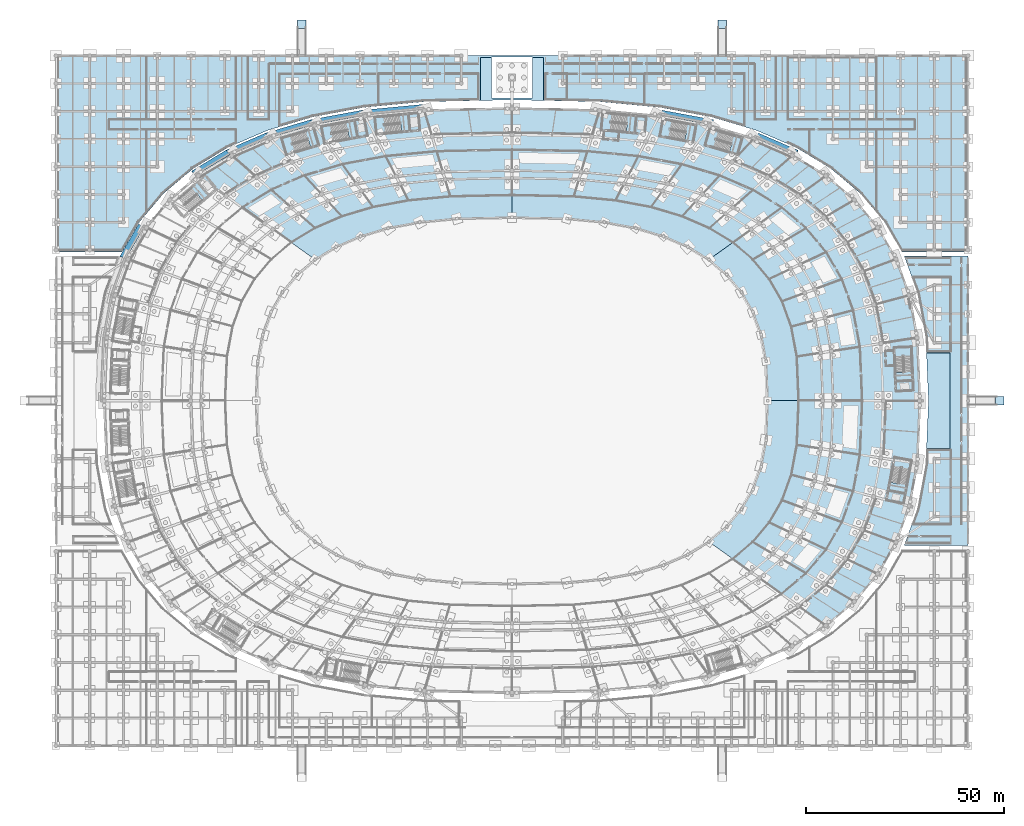
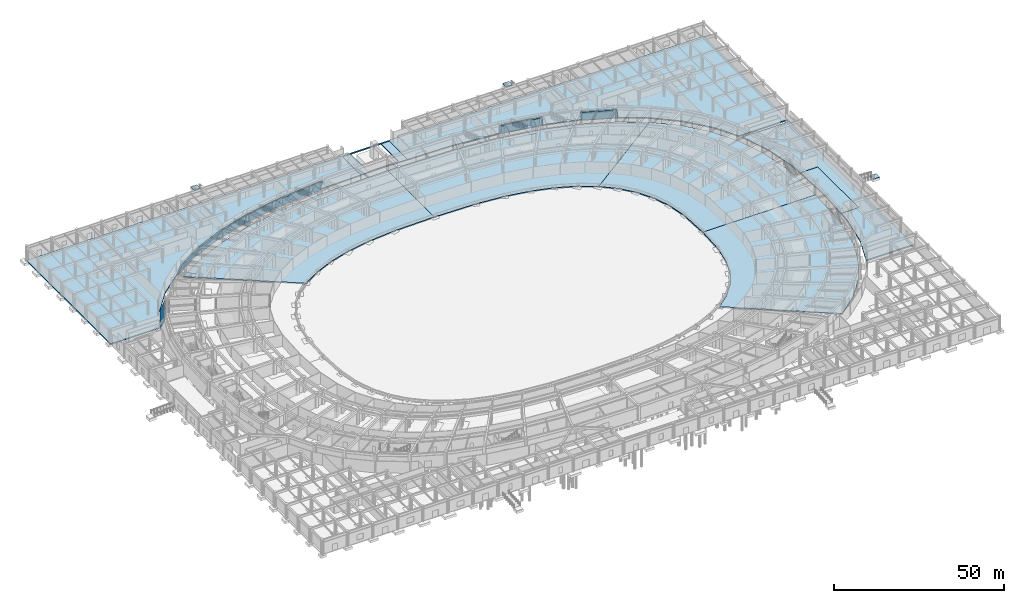
# One storey, part 39 of 88: 28 slabs, 12 elements without a shape of their own.
"""IFC4 building model written with IfcOpenShell, lengths in metres."""

from ifc_helpers import new_model, si_unit, direction, frame, origin, place, context, subcontext, project, spatial, polyline, outline, extrude, material, layer, layer_set, type_object, element, aggregate, save


model = new_model("IFC4")

# Units and contexts
model_context = context("Model", 3, precision=1e-05, world=origin(), true_north=direction((0.0, 1.0)))
body_context = subcontext(model_context, "Body", "Model", "MODEL_VIEW")
ifc_project = project(units=[si_unit("LENGTHUNIT", "METRE"), si_unit("AREAUNIT", "SQUARE_METRE"), si_unit("VOLUMEUNIT", "CUBIC_METRE"), si_unit("PLANEANGLEUNIT", "RADIAN"), si_unit("MASSUNIT", "GRAM", prefix="KILO")], contexts=[model_context])

# Site, building, storey
site_placement = place(None, origin())
site = spatial("IfcSite", under=ifc_project, at=site_placement, CompositionType="ELEMENT")
building_placement = place(site_placement, origin())
building = spatial("IfcBuilding", under=site, at=building_placement, Name="Mphavela Belvedere Stadium", CompositionType="ELEMENT")
storey_placement = place(building_placement, origin())
storey = spatial("IfcBuildingStorey", under=building, at=storey_placement, Name="L00", CompositionType="ELEMENT", Elevation=0.0)

# Slabs
ifc_material_1 = material(Name="Concrete C35/45", Category="concrete")
ifc_layer_1 = layer(ifc_material_1, 0.419921875)
ifc_layer_set_1 = layer_set([ifc_layer_1], Name="Concrete C35/45")
slab_type_1 = type_object("IfcSlabType", Name="SLB-BASE-420", PredefinedType="BASESLAB", material=ifc_layer_set_1)
slab_1_placement = place(storey_placement, frame((0.0, 0.0, -0.419921875)))
element("IfcSlab", 1, at=slab_1_placement, inside=storey, type_object=slab_type_1, Name="North Mast and Ceremonial End Forecourt floor slab L00-1", PredefinedType="BASESLAB", context=body_context, shape_type="SweptSolid", body=[
    extrude(outline(polyline([(230.0, 174.0), (230.0, 124.5), (213.346435546875, 124.5), (209.147216796875, 131.7626953125), (209.042236328125, 131.9267578125), (208.92333984375, 132.080810546875), (203.019287109375, 139.072998046875), (202.893798828125, 139.20947265625), (202.757080078125, 139.3349609375), (195.574462890625, 145.39599609375), (195.4404296875, 145.500244140625), (195.299072265625, 145.593994140625), (186.839599609375, 150.740478515625), (186.5712890625, 150.87939453125), (176.8125, 155.10986328125), (176.563720703125, 155.2001953125), (165.42724609375, 158.505859375), (165.2041015625, 158.559814453125), (152.4755859375, 160.93017578125), (152.281494140625, 160.95751953125), (137.323486328125, 162.3837890625), (137.162109375, 162.393310546875), (123.0, 162.6982421875), (123.0, 173.5), (120.199951171875, 173.5), (120.199951171875, 173.699951171875), (109.800048828125, 173.699951171875), (109.800048828125, 173.5), (107.0, 173.5), (107.0, 162.6982421875), (92.837890625, 162.393310546875), (92.676513671875, 162.3837890625), (77.718505859375, 160.95751953125), (77.5244140625, 160.93017578125), (64.7958984375, 158.559814453125), (64.57275390625, 158.505859375), (53.436279296875, 155.2001953125), (53.1875, 155.10986328125), (43.4287109375, 150.87939453125), (43.160400390625, 150.740478515625), (34.700927734375, 145.593994140625), (34.5595703125, 145.500244140625), (34.425537109375, 145.39599609375), (27.242919921875, 139.3349609375), (27.106201171875, 139.20947265625), (26.980712890625, 139.072998046875), (21.07666015625, 132.080810546875), (20.957763671875, 131.9267578125), (20.852783203125, 131.7626953125), (16.653564453125, 124.5), (0.0, 124.5), (0.0, 174.0), (230.0, 174.0)])), origin(), (0.0, 0.0, 1.0), 0.419921875),
])
slab_2_placement = place(storey_placement, frame((0.0, 0.0, -0.419921875)))
element("IfcSlab", 2, at=slab_2_placement, inside=storey, type_object=slab_type_1, Name="East Planted Eaves Peristyle Colonnade floor slab L00-1", PredefinedType="BASESLAB", context=body_context, shape_type="SweptSolid", body=[
    extrude(outline(polyline([(213.896240234375, 50.5), (217.232666015625, 59.687255859375), (217.287353515625, 59.859619140625), (217.32763671875, 60.03564453125), (219.318359375, 70.753173828125), (219.353515625, 71.062744140625), (219.5185546875, 75.0), (225.5, 75.0), (225.5, 99.0), (219.5185546875, 99.0), (219.353515625, 102.937255859375), (219.318359375, 103.246826171875), (217.32763671875, 113.96435546875), (217.287353515625, 114.140380859375), (217.232666015625, 114.312744140625), (213.896240234375, 123.5), (230.0, 123.5), (230.0, 50.5), (213.896240234375, 50.5)])), origin(), (0.0, 0.0, 1.0), 0.419921875),
])
slab_3_placement = place(storey_placement, frame((0.0, 0.0, -0.419921875)))
element("IfcSlab", 3, at=slab_3_placement, inside=storey, type_object=slab_type_1, Name="Concourse sector slab L00-S1", PredefinedType="BASESLAB", context=body_context, shape_type="SweptSolid", body=[
    extrude(outline(polyline([(169.1650390625, 118.77783203125), (164.658935546875, 122.580322265625), (194.155517578125, 143.714599609375), (201.33837890625, 137.653564453125), (207.242431640625, 130.66162109375), (211.856201171875, 122.682373046875), (215.16455078125, 113.5625), (217.155517578125, 102.844970703125), (217.820068359375, 87.0), (179.5048828125, 87.0), (179.088134765625, 96.9404296875), (177.839111328125, 103.664306640625), (175.763427734375, 109.385498046875), (172.869140625, 114.391357421875), (169.1650390625, 118.77783203125)])), origin(), (0.0, 0.0, 1.0), 0.419921875),
])
slab_4_placement = place(storey_placement, frame((0.0, 0.0, -0.419921875)))
element("IfcSlab", 4, at=slab_4_placement, inside=storey, type_object=slab_type_1, Name="Concourse sector slab L00-S2", PredefinedType="BASESLAB", context=body_context, shape_type="SweptSolid", body=[
    extrude(outline(polyline([(128.873779296875, 132.918701171875), (115.0, 133.217529296875), (115.0, 160.669921875), (137.114501953125, 160.19384765625), (152.07275390625, 158.767333984375), (164.80126953125, 156.39697265625), (175.9375, 153.09130859375), (185.6962890625, 148.86083984375), (194.155517578125, 143.714599609375), (164.658935546875, 122.580322265625), (159.351806640625, 125.80908203125), (153.229736328125, 128.462890625), (146.2431640625, 130.53662109375), (138.258056640625, 132.02392578125), (128.873779296875, 132.918701171875)])), origin(), (0.0, 0.0, 1.0), 0.419921875),
])
slab_5_placement = place(storey_placement, frame((0.0, 0.0, -0.419921875)))
element("IfcSlab", 5, at=slab_5_placement, inside=storey, type_object=slab_type_1, Name="Concourse sector slab L00-S3", PredefinedType="BASESLAB", context=body_context, shape_type="SweptSolid", body=[
    extrude(outline(polyline([(70.648193359375, 125.80908203125), (65.341064453125, 122.580322265625), (35.844482421875, 143.714599609375), (44.3037109375, 148.86083984375), (54.0625, 153.09130859375), (65.19873046875, 156.39697265625), (77.92724609375, 158.767333984375), (92.885498046875, 160.19384765625), (115.0, 160.669921875), (115.0, 133.217529296875), (101.126220703125, 132.918701171875), (91.741943359375, 132.02392578125), (83.7568359375, 130.53662109375), (76.770263671875, 128.462890625), (70.648193359375, 125.80908203125)])), origin(), (0.0, 0.0, 1.0), 0.419921875),
])
slab_6_placement = place(storey_placement, frame((0.0, 0.0, -0.419921875)))
element("IfcSlab", 6, at=slab_6_placement, inside=storey, type_object=slab_type_1, Name="Concourse sector slab L00-S8", PredefinedType="BASESLAB", context=body_context, shape_type="SweptSolid", body=[
    extrude(outline(polyline([(179.088134765625, 77.0595703125), (179.5048828125, 87.0), (217.820068359375, 87.0), (217.155517578125, 71.155029296875), (215.16455078125, 60.4375), (211.856201171875, 51.317626953125), (207.242431640625, 43.33837890625), (201.33837890625, 36.346435546875), (194.155517578125, 30.285400390625), (164.658935546875, 51.419677734375), (169.1650390625, 55.22216796875), (172.869140625, 59.608642578125), (175.763427734375, 64.614501953125), (177.839111328125, 70.335693359375), (179.088134765625, 77.0595703125)])), origin(), (0.0, 0.0, 1.0), 0.419921875),
])
ifc_material_2 = material(Name="Planted grassed earth bank over Concrete C35/45", Category="concrete")
ifc_layer_2 = layer(ifc_material_2, 0.35009765625)
ifc_layer_set_2 = layer_set([ifc_layer_2], Name="Planted grassed earth bank over Concrete C35/45")
slab_type_2 = type_object("IfcSlabType", Name="SLB-EARTH-BANK", PredefinedType="USERDEFINED", material=ifc_layer_set_2)
slab_7_placement = place(storey_placement, frame((0.0, 0.0, -0.35009765625)))
element("IfcSlab", 7, at=slab_7_placement, inside=storey, type_object=slab_type_2, Name="North Mast and Ceremonial End Forecourt planted rainwater court", ObjectType="LANDSCAPED EARTH BANK", PredefinedType="USERDEFINED", context=body_context, shape_type="SweptSolid", body=[
    extrude(outline(polyline([(109.800048828125, 173.5), (109.800048828125, 163.300048828125), (120.199951171875, 163.300048828125), (120.199951171875, 173.5), (123.0, 173.5), (123.0, 162.6982421875), (115.04736328125, 162.869384765625), (114.95263671875, 162.869384765625), (107.0, 162.6982421875), (107.0, 173.5), (109.800048828125, 173.5)])), origin(), (0.0, 0.0, 1.0), 0.35009765625),
])
slab_8_placement = place(storey_placement, frame((0.0, 0.0, -0.35009765625)))
element("IfcSlab", 8, at=slab_8_placement, inside=storey, type_object=slab_type_2, Name="East Planted Eaves Peristyle Colonnade planted rainwater court", ObjectType="LANDSCAPED EARTH BANK", PredefinedType="USERDEFINED", context=body_context, shape_type="SweptSolid", body=[
    extrude(outline(polyline([(225.5, 75.0), (219.5185546875, 75.0), (220.01806640625, 86.90771484375), (220.01806640625, 87.09228515625), (219.5185546875, 99.0), (225.5, 99.0), (225.5, 75.0)])), origin(), (0.0, 0.0, 1.0), 0.35009765625),
])
slab_9_placement = place(storey_placement, frame((187.16357421875, 150.144775390625, 0.39990234375), z_axis=(0.380647649124, 0.878094394796, 0.289926889135), x_axis=(-0.917502179365, 0.397730751716, -3.31386e-07)))
element("IfcSlab", 9, at=slab_9_placement, inside=storey, type_object=slab_type_2, Name="Sculpted grassed earth bank 08", ObjectType="LANDSCAPED EARTH BANK", PredefinedType="USERDEFINED", context=body_context, shape_type="SweptSolid", body=[
    extrude(outline(polyline([(0.0, 0.0), (10.856853082487211, 0.0), (11.248237903163405, 3.8662595401562183), (0.5318929976409478, 3.86625207024925), (0.0, 0.0)])), origin(), (0.0, 0.0, -1.0), 0.35009765625),
])
slab_10_placement = place(storey_placement, frame((165.834716796875, 157.837158203125, 0.39990234375), z_axis=(0.176496855069, 0.947643383405, 0.266121923261), x_axis=(-0.983094278074, 0.183100083053, -2.006182e-06)))
element("IfcSlab", 10, at=slab_10_placement, inside=storey, type_object=slab_type_2, Name="Sculpted grassed earth bank 10", ObjectType="LANDSCAPED EARTH BANK", PredefinedType="USERDEFINED", context=body_context, shape_type="SweptSolid", body=[
    extrude(outline(polyline([(0.0, 0.0), (13.2158731004611, 0.0), (13.523753738555591, 3.8386464263630447), (0.47877633487886756, 3.838591771436708), (0.0, 0.0)])), origin(), (0.0, 0.0, -1.0), 0.35009765625),
])
slab_11_placement = place(storey_placement, frame((92.426513671875, 161.712890625, 0.39990234375), z_axis=(-0.091690598948, 0.961648587431, 0.258504987103), x_axis=(-0.995485217703, -0.094916707355, -4.57646e-07)))
element("IfcSlab", 11, at=slab_11_placement, inside=storey, type_object=slab_type_2, Name="Sculpted grassed earth bank 14", ObjectType="LANDSCAPED EARTH BANK", PredefinedType="USERDEFINED", context=body_context, shape_type="SweptSolid", body=[
    extrude(outline(polyline([(0.0, 0.0), (15.338044269117447, 5.551115123125783e-17), (14.940488432170783, 3.8303976607712), (-0.1989104236640557, 3.8303832221252003), (0.0, 0.0)])), origin(), (0.0, 0.0, -1.0), 0.35009765625),
])
slab_12_placement = place(storey_placement, frame((77.15771484375, 160.257080078125, 0.39990234375), z_axis=(-0.176496855069, 0.947643383405, 0.266121923261), x_axis=(-0.983094278074, -0.183100083053, 2.006182e-06)))
element("IfcSlab", 12, at=slab_12_placement, inside=storey, type_object=slab_type_2, Name="Sculpted grassed earth bank 15", ObjectType="LANDSCAPED EARTH BANK", PredefinedType="USERDEFINED", context=body_context, shape_type="SweptSolid", body=[
    extrude(outline(polyline([(0.0, 0.0), (13.2158731004611, 0.0), (12.73709676558223, 3.838591771436708), (-0.30788063809449484, 3.8386464263630447), (0.0, 0.0)])), origin(), (0.0, 0.0, -1.0), 0.35009765625),
])
slab_13_placement = place(storey_placement, frame((64.165283203125, 157.837158203125, 0.39990234375), z_axis=(-0.273441899735, 0.921207370113, 0.27677880829), x_axis=(-0.958658656554, -0.284558570798, 3.0355e-08)))
element("IfcSlab", 13, at=slab_13_placement, inside=storey, type_object=slab_type_2, Name="Sculpted grassed earth bank 16", ObjectType="LANDSCAPED EARTH BANK", PredefinedType="USERDEFINED", context=body_context, shape_type="SweptSolid", body=[
    extrude(outline(polyline([(0.0, 0.0), (11.857897552112755, 0.0), (11.334606477896402, 3.8506248014448916), (-0.3697248744910742, 3.8506255457637577), (0.0, 0.0)])), origin(), (0.0, 0.0, -1.0), 0.35009765625),
])
slab_14_placement = place(storey_placement, frame((52.797607421875, 154.462890625, 0.39990234375), z_axis=(-0.380647649124, 0.878094394796, 0.289926889135), x_axis=(-0.917502179365, -0.397730751716, 3.31386e-07)))
element("IfcSlab", 14, at=slab_14_placement, inside=storey, type_object=slab_type_2, Name="Sculpted grassed earth bank 17", ObjectType="LANDSCAPED EARTH BANK", PredefinedType="USERDEFINED", context=body_context, shape_type="SweptSolid", body=[
    extrude(outline(polyline([(0.0, 0.0), (10.856853082487211, 0.0), (10.324960084846264, 3.86625207024925), (-0.39138482067619584, 3.8662595401562188), (0.0, 0.0)])), origin(), (0.0, 0.0, -1.0), 0.35009765625),
])
slab_15_placement = place(storey_placement, frame((42.83642578125, 150.144775390625, 0.39990234375), z_axis=(-0.495051225658, 0.813726847414, 0.304586443842), x_axis=(-0.854320140677, -0.519747147402, -8.2206e-08)))
element("IfcSlab", 15, at=slab_15_placement, inside=storey, type_object=slab_type_2, Name="Sculpted grassed earth bank 18", ObjectType="LANDSCAPED EARTH BANK", PredefinedType="USERDEFINED", context=body_context, shape_type="SweptSolid", body=[
    extrude(outline(polyline([(0.0, 0.0), (10.107176295443335, -2.220446049250313e-16), (9.603363834491763, 3.884782730030654), (-0.3732182199194834, 3.8847809966731424), (0.0, 0.0)])), origin(), (0.0, 0.0, -1.0), 0.35009765625),
])
slab_16_placement = place(storey_placement, frame((20.843017578125, 131.567626953125, 0.39990234375), z_axis=(-0.813747350988, 0.47051021596, 0.341226296521), x_axis=(-0.500551919081, -0.865706518571, 2.821666e-06)))
element("IfcSlab", 16, at=slab_16_placement, inside=storey, type_object=slab_type_2, Name="Sculpted grassed earth bank 21", ObjectType="LANDSCAPED EARTH BANK", PredefinedType="USERDEFINED", context=body_context, shape_type="SweptSolid", body=[
    extrude(outline(polyline([(0.0, 0.0), (9.408198518848, 0.0), (9.175890130650536, 3.936429269782899), (-0.11057434428294761, 3.936485388028106), (0.0, 0.0)])), origin(), (0.0, 0.0, -1.0), 0.35009765625),
])

# Stair, slab
ifc_material_3 = material(Name="Concrete C40/50", Category="concrete")
stair_type_1 = type_object("IfcStairType", Name="STR-HALF-TURN-1", PredefinedType="HALF_TURN_STAIR", material=ifc_material_3)
stair_1_placement = place(storey_placement, origin())
stair_1 = element("IfcStair", 17, at=stair_1_placement, inside=storey, type_object=stair_type_1, Name="L00 Escape stair core C01", PredefinedType="HALF_TURN_STAIR")
ifc_material_4 = material(Name="Concrete C40/50", Category="concrete")
ifc_layer_3 = layer(ifc_material_4, 0.199951171875)
ifc_layer_set_3 = layer_set([ifc_layer_3], Name="Concrete C40/50")
slab_type_3 = type_object("IfcSlabType", Name="SLB-LANDING-200", PredefinedType="LANDING", material=ifc_layer_set_3)
slab_17_placement = place(storey_placement, frame((0.0, 0.0, 2.5)))
slab_17 = element("IfcSlab", 18, at=slab_17_placement, type_object=slab_type_3, Name="ST-C01 landing 1", PredefinedType="LANDING", context=body_context, shape_type="SweptSolid", body=[
    extrude(outline(polyline([(211.62158203125, 94.052734375), (211.70849609375, 91.9775390625), (216.134765625, 92.1630859375), (216.032958984375, 94.5927734375), (213.81982421875, 94.5), (213.834716796875, 94.1455078125), (211.62158203125, 94.052734375)])), origin(), (0.0, 0.0, 1.0), 0.199951171875),
])
aggregate(stair_1, [slab_17])

ifc_material_5 = material(Name="Concrete C40/50", Category="concrete")
stair_type_2 = type_object("IfcStairType", Name="STR-HALF-TURN-2", PredefinedType="HALF_TURN_STAIR", material=ifc_material_5)
stair_2_placement = place(storey_placement, origin())
stair_2 = element("IfcStair", 19, at=stair_2_placement, inside=storey, type_object=stair_type_2, Name="L00 Escape stair core C02", PredefinedType="HALF_TURN_STAIR")
slab_18_placement = place(storey_placement, frame((0.0, 0.0, 2.5)))
slab_18 = element("IfcSlab", 20, at=slab_18_placement, type_object=slab_type_3, Name="ST-C02 landing 1", PredefinedType="LANDING", context=body_context, shape_type="SweptSolid", body=[
    extrude(outline(polyline([(74.01025390625, 152.964599609375), (76.052001953125, 153.344970703125), (75.240966796875, 157.7001953125), (72.85009765625, 157.2548828125), (73.255615234375, 155.0771484375), (73.604736328125, 155.14208984375), (74.01025390625, 152.964599609375)])), origin(), (0.0, 0.0, 1.0), 0.199951171875),
])
aggregate(stair_2, [slab_18])

ifc_material_6 = material(Name="Concrete C40/50", Category="concrete")
stair_type_3 = type_object("IfcStairType", Name="STR-HALF-TURN-3", PredefinedType="HALF_TURN_STAIR", material=ifc_material_6)
stair_3_placement = place(storey_placement, origin())
stair_3 = element("IfcStair", 21, at=stair_3_placement, inside=storey, type_object=stair_type_3, Name="L00 Escape stair core C03", PredefinedType="HALF_TURN_STAIR")
slab_19_placement = place(storey_placement, frame((0.0, 0.0, 2.5)))
slab_19 = element("IfcSlab", 22, at=slab_19_placement, type_object=slab_type_3, Name="ST-C03 landing 1", PredefinedType="LANDING", context=body_context, shape_type="SweptSolid", body=[
    extrude(outline(polyline([(143.8134765625, 154.630126953125), (145.881103515625, 154.432861328125), (146.3017578125, 158.843017578125), (143.880615234375, 159.073974609375), (143.67041015625, 156.868896484375), (144.023681640625, 156.835205078125), (143.8134765625, 154.630126953125)])), origin(), (0.0, 0.0, 1.0), 0.199951171875),
])
aggregate(stair_3, [slab_19])

stair_4_placement = place(storey_placement, origin())
stair_4 = element("IfcStair", 23, at=stair_4_placement, inside=storey, type_object=stair_type_1, Name="L00 Escape stair core C04", PredefinedType="HALF_TURN_STAIR")
slab_20_placement = place(storey_placement, frame((0.0, 0.0, 2.5)))
slab_20 = element("IfcSlab", 24, at=slab_20_placement, type_object=slab_type_3, Name="ST-C04 landing 1", PredefinedType="LANDING", context=body_context, shape_type="SweptSolid", body=[
    extrude(outline(polyline([(87.168212890625, 154.723876953125), (89.23583984375, 154.921142578125), (88.81494140625, 159.3310546875), (86.39404296875, 159.10009765625), (86.6044921875, 156.895263671875), (86.957763671875, 156.928955078125), (87.168212890625, 154.723876953125)])), origin(), (0.0, 0.0, 1.0), 0.199951171875),
])
aggregate(stair_4, [slab_20])

stair_5_placement = place(storey_placement, origin())
stair_5 = element("IfcStair", 25, at=stair_5_placement, inside=storey, type_object=stair_type_2, Name="L00 Escape stair core C05", PredefinedType="HALF_TURN_STAIR")
slab_21_placement = place(storey_placement, frame((0.0, 0.0, 2.5)))
slab_21 = element("IfcSlab", 26, at=slab_21_placement, type_object=slab_type_3, Name="ST-C05 landing 1", PredefinedType="LANDING", context=body_context, shape_type="SweptSolid", body=[
    extrude(outline(polyline([(37.0244140625, 137.38525390625), (38.611572265625, 138.724609375), (35.754638671875, 142.1103515625), (33.89599609375, 140.541748046875), (35.324462890625, 138.84912109375), (35.595703125, 139.077880859375), (37.0244140625, 137.38525390625)])), origin(), (0.0, 0.0, 1.0), 0.199951171875),
])
aggregate(stair_5, [slab_21])

stair_6_placement = place(storey_placement, origin())
stair_6 = element("IfcStair", 27, at=stair_6_placement, inside=storey, type_object=stair_type_3, Name="L00 Escape stair core C12", PredefinedType="HALF_TURN_STAIR")
slab_22_placement = place(storey_placement, frame((0.0, 0.0, 2.5)))
slab_22 = element("IfcSlab", 28, at=slab_22_placement, type_object=slab_type_3, Name="ST-C12 landing 1", PredefinedType="LANDING", context=body_context, shape_type="SweptSolid", body=[
    extrude(outline(polyline([(210.26611328125, 66.4755859375), (209.886962890625, 64.43359375), (214.242431640625, 63.624755859375), (214.6865234375, 66.01611328125), (212.5087890625, 66.42041015625), (212.44384765625, 66.0712890625), (210.26611328125, 66.4755859375)])), origin(), (0.0, 0.0, 1.0), 0.199951171875),
])
aggregate(stair_6, [slab_22])

ifc_material_7 = material(Name="Precast concrete C45/55", Category="concrete")
stair_type_4 = type_object("IfcStairType", Name="STR-TWO-RET-1", PredefinedType="TWO_STRAIGHT_RUN_STAIR", material=ifc_material_7)
stair_7_placement = place(storey_placement, origin())
stair_7 = element("IfcStair", 29, at=stair_7_placement, inside=storey, type_object=stair_type_4, Name="L00 Escape stair core P01", PredefinedType="TWO_STRAIGHT_RUN_STAIR")
slab_23_placement = place(storey_placement, frame((0.0, 0.0, 2.5)))
slab_23 = element("IfcSlab", 30, at=slab_23_placement, type_object=slab_type_3, Name="ST-P01 landing 1", PredefinedType="LANDING", context=body_context, shape_type="SweptSolid", body=[
    extrude(outline(polyline([(169.750732421875, 149.598876953125), (171.741943359375, 149.008056640625), (173.002197265625, 153.2548828125), (170.6708984375, 153.94677734375), (170.04052734375, 151.823486328125), (170.380859375, 151.722412109375), (169.750732421875, 149.598876953125)])), origin(), (0.0, 0.0, 1.0), 0.199951171875),
])
aggregate(stair_7, [slab_23])

ifc_material_8 = material(Name="Precast concrete C45/55", Category="concrete")
stair_type_5 = type_object("IfcStairType", Name="STR-TWO-RET-2", PredefinedType="TWO_STRAIGHT_RUN_STAIR", material=ifc_material_8)
stair_8_placement = place(storey_placement, origin())
stair_8 = element("IfcStair", 31, at=stair_8_placement, inside=storey, type_object=stair_type_5, Name="L00 Escape stair core P02", PredefinedType="TWO_STRAIGHT_RUN_STAIR")
slab_24_placement = place(storey_placement, frame((0.0, 0.0, 2.5)))
slab_24 = element("IfcSlab", 32, at=slab_24_placement, type_object=slab_type_3, Name="ST-P02 landing 1", PredefinedType="LANDING", context=body_context, shape_type="SweptSolid", body=[
    extrude(outline(polyline([(158.522216796875, 152.4931640625), (160.564208984375, 152.11279296875), (161.375244140625, 156.468017578125), (158.984375, 156.9130859375), (158.57861328125, 154.735595703125), (158.927734375, 154.670654296875), (158.522216796875, 152.4931640625)])), origin(), (0.0, 0.0, 1.0), 0.199951171875),
])
aggregate(stair_8, [slab_24])

stair_9_placement = place(storey_placement, origin())
stair_9 = element("IfcStair", 33, at=stair_9_placement, inside=storey, type_object=stair_type_4, Name="L00 Escape stair core P03", PredefinedType="TWO_STRAIGHT_RUN_STAIR")
slab_25_placement = place(storey_placement, frame((0.0, 0.0, 2.5)))
slab_25 = element("IfcSlab", 34, at=slab_25_placement, type_object=slab_type_3, Name="ST-P03 landing 1", PredefinedType="LANDING", context=body_context, shape_type="SweptSolid", body=[
    extrude(outline(polyline([(64.2431640625, 150.7841796875), (66.234375, 151.375), (64.973876953125, 155.6220703125), (62.642333984375, 154.93017578125), (63.272705078125, 152.806640625), (63.61279296875, 152.90771484375), (64.2431640625, 150.7841796875)])), origin(), (0.0, 0.0, 1.0), 0.199951171875),
])
aggregate(stair_9, [slab_25])

# Ramp, slab
ifc_material_9 = material(Name="Concrete C40/50", Category="concrete")
ramp_type = type_object("IfcRampType", Name="RMP-PED-18", PredefinedType="STRAIGHT_RUN_RAMP", material=ifc_material_9)
ramp_1_placement = place(storey_placement, origin())
ramp_1 = element("IfcRamp", 35, at=ramp_1_placement, inside=storey, type_object=ramp_type, Name="Accessible pedestrian approach ramp RP3", PredefinedType="STRAIGHT_RUN_RAMP")
slab_26_placement = place(storey_placement, frame((0.0, 0.0, -0.60009765625)))
slab_26 = element("IfcSlab", 36, at=slab_26_placement, type_object=slab_type_3, Name="Ramp RP3 approach landing", PredefinedType="LANDING", context=body_context, shape_type="SweptSolid", body=[
    extrude(outline(polyline([(60.949951171875, 183.0), (60.949951171875, 180.89990234375), (63.050048828125, 180.89990234375), (63.050048828125, 183.0), (60.949951171875, 183.0)])), origin(), (0.0, 0.0, 1.0), 0.2001953125),
])
aggregate(ramp_1, [slab_26])

ramp_2_placement = place(storey_placement, origin())
ramp_2 = element("IfcRamp", 37, at=ramp_2_placement, inside=storey, type_object=ramp_type, Name="Accessible pedestrian approach ramp RP4", PredefinedType="STRAIGHT_RUN_RAMP")
slab_27_placement = place(storey_placement, frame((0.0, 0.0, -0.60009765625)))
slab_27 = element("IfcSlab", 38, at=slab_27_placement, type_object=slab_type_3, Name="Ramp RP4 approach landing", PredefinedType="LANDING", context=body_context, shape_type="SweptSolid", body=[
    extrude(outline(polyline([(166.949951171875, 183.0), (166.949951171875, 180.89990234375), (169.050048828125, 180.89990234375), (169.050048828125, 183.0), (166.949951171875, 183.0)])), origin(), (0.0, 0.0, 1.0), 0.2001953125),
])
aggregate(ramp_2, [slab_27])

ramp_3_placement = place(storey_placement, origin())
ramp_3 = element("IfcRamp", 39, at=ramp_3_placement, inside=storey, type_object=ramp_type, Name="Accessible pedestrian approach ramp RP6", PredefinedType="STRAIGHT_RUN_RAMP")
slab_28_placement = place(storey_placement, frame((0.0, 0.0, -0.60009765625)))
slab_28 = element("IfcSlab", 40, at=slab_28_placement, type_object=slab_type_3, Name="Ramp RP6 approach landing", PredefinedType="LANDING", context=body_context, shape_type="SweptSolid", body=[
    extrude(outline(polyline([(239.0, 88.050048828125), (236.89990234375, 88.050048828125), (236.89990234375, 85.949951171875), (239.0, 85.949951171875), (239.0, 88.050048828125)])), origin(), (0.0, 0.0, 1.0), 0.2001953125),
])
aggregate(ramp_3, [slab_28])

save(model, "model.ifc")
